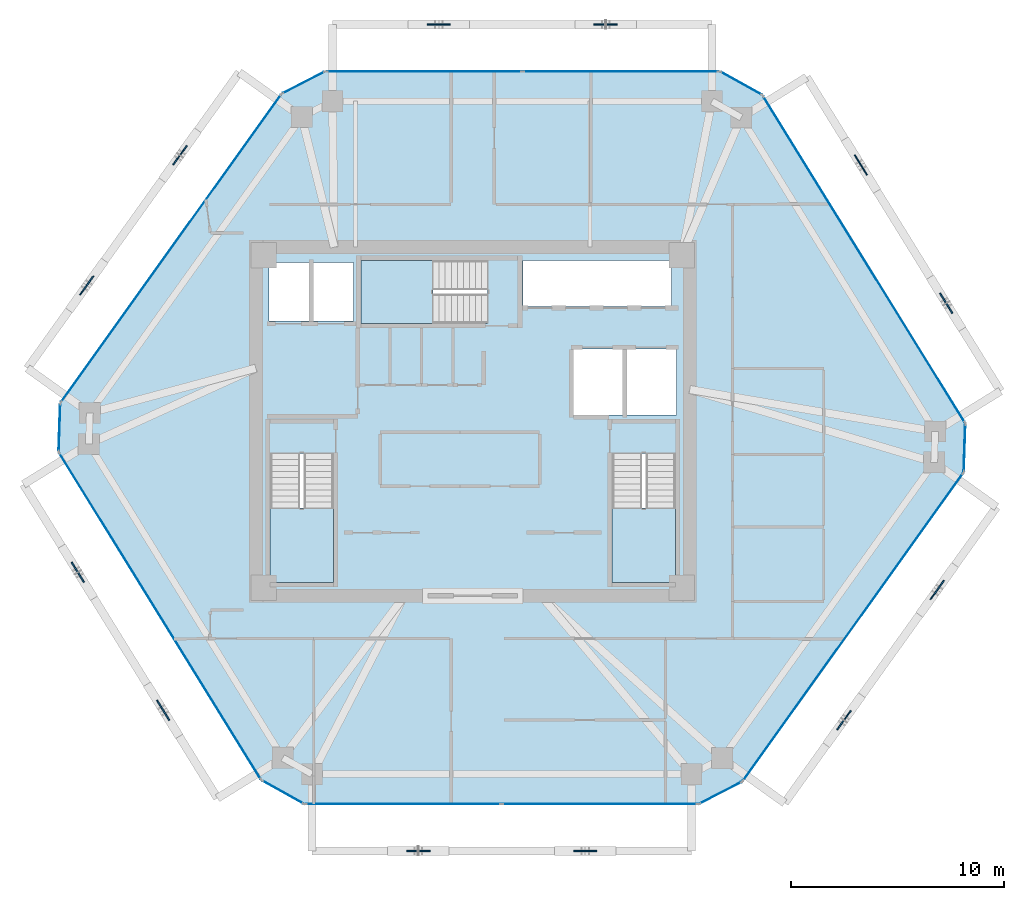
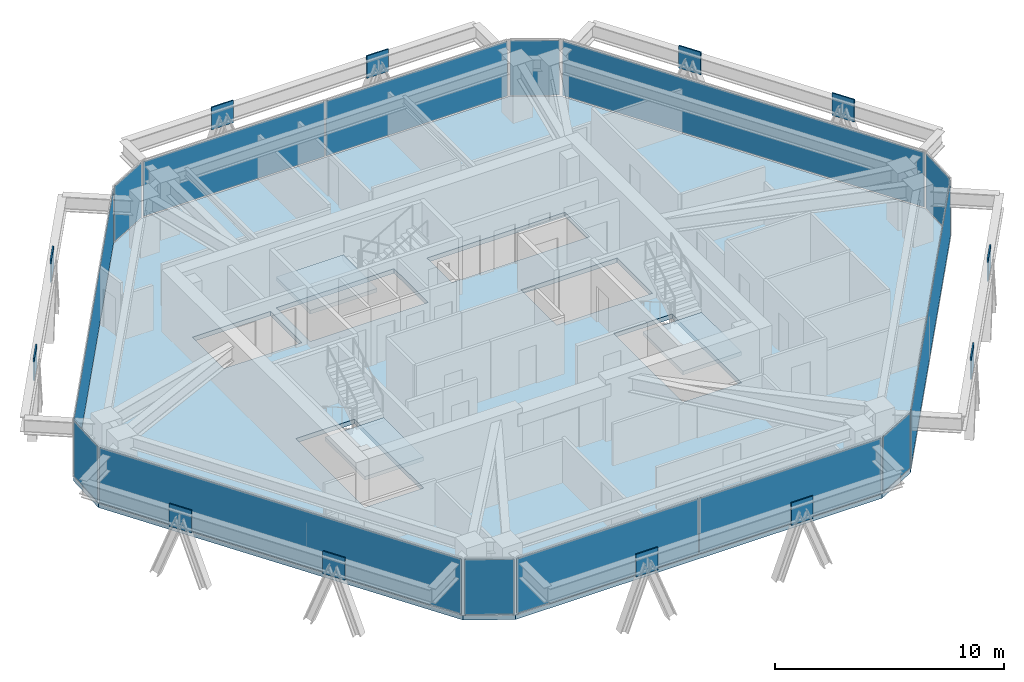
# One storey, part 7 of 14: 26 plates, 4 slabs, 15 elements without a shape of their own.
"""IFC4 building model written with IfcOpenShell, lengths in metres."""

from ifc_helpers import new_model, si_unit, direction, frame, origin, origin_2d, place, context, subcontext, project, spatial, polyline, rectangle, outline, extrude, source, transform, mapped, material, layer, layer_set, type_object, type_shapes, element, aggregate, save


model = new_model("IFC4")

# Units and contexts
model_context = context("Model", 3, precision=1e-05, world=origin(), true_north=direction((0.0, 1.0)))
body_context = subcontext(model_context, "Body", "Model", "MODEL_VIEW")
ifc_project = project(units=[si_unit("LENGTHUNIT", "METRE"), si_unit("AREAUNIT", "SQUARE_METRE"), si_unit("VOLUMEUNIT", "CUBIC_METRE"), si_unit("PLANEANGLEUNIT", "RADIAN"), si_unit("MASSUNIT", "GRAM", prefix="KILO")], contexts=[model_context])

# Site, building, storey
site_placement = place(None, origin())
site = spatial("IfcSite", under=ifc_project, at=site_placement, CompositionType="ELEMENT")
building_placement = place(site_placement, origin())
building = spatial("IfcBuilding", under=site, at=building_placement, Name="Durnholm Broadcast Tower", CompositionType="ELEMENT")
storey_placement = place(building_placement, frame((0.0, 0.0, 193.60009765625)))
storey = spatial("IfcBuildingStorey", under=building, at=storey_placement, Name="L53", CompositionType="ELEMENT", Elevation=193.60009765625)

# Slab
ifc_material_1 = material(Name="Concrete C50/60", Category="concrete")
ifc_layer_1 = layer(ifc_material_1, 0.239990234375)
ifc_layer_set_1 = layer_set([ifc_layer_1], Name="Concrete C50/60")
slab_type_1 = type_object("IfcSlabType", Name="SLAB-FLR-240", PredefinedType="FLOOR", material=ifc_layer_set_1)
slab_1_placement = place(storey_placement, frame((0.0, 0.0, -0.239990234375)))
element("IfcSlab", 1, at=slab_1_placement, inside=storey, type_object=slab_type_1, Name="L53 structural floor slab", PredefinedType="FLOOR", context=body_context, shape_type="SweptSolid", body=[
    extrude(outline(polyline([(-9.912353515625, -16.822021484375), (-7.9033203125, -17.94189453125), (10.59521484375, -17.94189453125), (12.64111328125, -16.890625), (23.022705078125, -2.390380859375), (23.1005859375, -0.091552734375), (13.59033203125, 15.2978515625), (11.581298828125, 16.41796875), (-6.917236328125, 16.41796875), (-8.962890625, 15.36669921875), (-19.3447265625, 0.8662109375), (-19.422607421875, -1.432373046875), (-9.912353515625, -16.822021484375)]), holes=[polyline([(-6.5400390625, -1.5), (-9.5, -1.5), (-9.5, -7.550048828125), (-6.5400390625, -7.550048828125), (-6.5400390625, -1.5)]), polyline([(9.5, -7.550048828125), (9.5, -1.5), (6.5400390625, -1.5), (6.5400390625, -7.550048828125), (9.5, -7.550048828125)]), polyline([(9.550048828125, 3.39990234375), (4.699951171875, 3.39990234375), (4.699951171875, 0.300048828125), (9.550048828125, 0.300048828125), (9.550048828125, 3.39990234375)]), polyline([(-9.550048828125, 7.449951171875), (-9.550048828125, 4.699951171875), (-5.60009765625, 4.699951171875), (-5.60009765625, 7.449951171875), (-9.550048828125, 7.449951171875)]), polyline([(-5.25, 4.60009765625), (0.699951171875, 4.60009765625), (0.699951171875, 7.56005859375), (-5.25, 7.56005859375), (-5.25, 4.60009765625)]), polyline([(9.31005859375, 7.550048828125), (2.35009765625, 7.550048828125), (2.35009765625, 5.39990234375), (9.31005859375, 5.39990234375), (9.31005859375, 7.550048828125)])]), origin(), (0.0, 0.0, 1.0), 0.239990234375),
])

# Stair, slab
stair_type = type_object("IfcStairType", Name="STAIR-DL-20R1650", PredefinedType="HALF_TURN_STAIR", material=ifc_material_1)
stair_1_placement = place(storey_placement, origin())
stair_1 = element("IfcStair", 2, at=stair_1_placement, inside=storey, type_object=stair_type, Name="L53 ST-1", PredefinedType="HALF_TURN_STAIR")
ifc_layer_2 = layer(ifc_material_1, 0.199951171875)
ifc_layer_set_2 = layer_set([ifc_layer_2], Name="Concrete C50/60")
slab_type_2 = type_object("IfcSlabType", Name="SLAB-LND-200", PredefinedType="LANDING", material=ifc_layer_set_2)
slab_2_placement = place(storey_placement, frame((0.0, 0.0, 1.449951171875)))
slab_2 = element("IfcSlab", 3, at=slab_2_placement, type_object=slab_type_2, Name="ST-1 landing 1", PredefinedType="LANDING", context=body_context, shape_type="SweptSolid", body=[
    extrude(outline(polyline([(-9.5, -4.06494140625), (-9.5, -7.550048828125), (-6.5400390625, -7.550048828125), (-6.5400390625, -4.06494140625), (-9.5, -4.06494140625)])), origin(), (0.0, 0.0, 1.0), 0.199951171875),
])
aggregate(stair_1, [slab_2])

stair_2_placement = place(storey_placement, origin())
stair_2 = element("IfcStair", 4, at=stair_2_placement, inside=storey, type_object=stair_type, Name="L53 ST-2", PredefinedType="HALF_TURN_STAIR")
slab_3_placement = place(storey_placement, frame((0.0, 0.0, 1.449951171875)))
slab_3 = element("IfcSlab", 5, at=slab_3_placement, type_object=slab_type_2, Name="ST-2 landing 1", PredefinedType="LANDING", context=body_context, shape_type="SweptSolid", body=[
    extrude(outline(polyline([(6.5400390625, -4.06494140625), (6.5400390625, -7.550048828125), (9.5, -7.550048828125), (9.5, -4.06494140625), (6.5400390625, -4.06494140625)])), origin(), (0.0, 0.0, 1.0), 0.199951171875),
])
aggregate(stair_2, [slab_3])

stair_3_placement = place(storey_placement, origin())
stair_3 = element("IfcStair", 6, at=stair_3_placement, inside=storey, type_object=stair_type, Name="L53 ST-3", PredefinedType="HALF_TURN_STAIR")
slab_4_placement = place(storey_placement, frame((0.0, 0.0, 1.449951171875)))
slab_4 = element("IfcSlab", 7, at=slab_4_placement, type_object=slab_type_2, Name="ST-3 landing 1", PredefinedType="LANDING", context=body_context, shape_type="SweptSolid", body=[
    extrude(outline(polyline([(-1.864990234375, 7.56005859375), (-5.25, 7.56005859375), (-5.25, 4.60009765625), (-1.864990234375, 4.60009765625), (-1.864990234375, 7.56005859375)])), origin(), (0.0, 0.0, 1.0), 0.199951171875),
])
aggregate(stair_3, [slab_4])

# Plates
ifc_material_2 = material(Name="Steel ASTM A572 Grade 50", Category="steel")
ifc_layer_3 = layer(ifc_material_2, 0.06494140625)
ifc_layer_set_3 = layer_set([ifc_layer_3], Name="Steel ASTM A572 Grade 50")
plate_type_1 = type_object("IfcPlateType", Name="PLT-KN07-GUS", PredefinedType="USERDEFINED", material=ifc_layer_set_3)
shared_shape_1 = source(origin(), body_context, "Body", "SweptSolid", [
    extrude(rectangle(XDim=1.10009765625, YDim=0.06494140625, at=origin_2d()), origin(), (0.0, 0.0, 1.0), 1.199951171875),
])
type_shapes(plate_type_1, [shared_shape_1])
for number, where, z_axis, x_axis, name in (
    (8, (-2.556640625, -20.14208984375, 1.70849609375), (0.0, 0.0, 1.0), (1.0, 0.0, 0.0), "L53 welded diagrid node gusset plate KN07 F1"),
    (9, (5.273681640625, -20.14208984375, 1.70849609375), (0.0, 0.0, 1.0), (1.0, 0.0, 0.0), "L53 welded diagrid node gusset plate KN07 F1"),
    (10, (17.40966796875, -14.009521484375, 1.70849609375), (0.0, 0.0, 1.0), (0.582122970157, 0.813100761047, 0.0), "L53 welded diagrid node gusset plate KN07 F2"),
    (11, (21.782470703125, -7.90185546875, 1.70849609375), (0.0, 0.0, 1.0), (0.582122970157, 0.813100761047, 0.0), "L53 welded diagrid node gusset plate KN07 F2"),
    (12, (22.202392578125, 5.546875, 1.70849609375), (0.0, 0.0, 1.0), (-0.525768608156, 0.850627633385, 0.0), "L53 welded diagrid node gusset plate KN07 F3"),
    (13, (18.2001953125, 12.023193359375, 1.70849609375), (0.0, 0.0, 1.0), (-0.525768608156, 0.850627633385, 0.0), "L53 welded diagrid node gusset plate KN07 F3"),
    (14, (6.234619140625, 18.617919921875, 1.70849609375), (0.0, 0.0, 1.0), (-1.0, 0.0, 0.0), "L53 welded diagrid node gusset plate KN07 F4"),
    (15, (-1.595703125, 18.617919921875, 1.70849609375), (0.0, 0.0, 1.0), (-1.0, 0.0, 0.0), "L53 welded diagrid node gusset plate KN07 F4"),
    (16, (-13.731689453125, 12.485595703125, 1.70849609375), (0.0, 0.0, 1.0), (-0.582122970157, -0.813100761047, 0.0), "L53 welded diagrid node gusset plate KN07 F5"),
    (17, (-18.1044921875, 6.3779296875, 1.70849609375), (0.0, 0.0, 1.0), (-0.582122970157, -0.813100761047, 0.0), "L53 welded diagrid node gusset plate KN07 F5"),
    (18, (-18.5244140625, -7.07080078125, 1.70849609375), (0.0, 0.0, 1.0), (0.525768608156, -0.850627633385, 0.0), "L53 welded diagrid node gusset plate KN07 F6"),
    (19, (-14.522216796875, -13.54736328125, 1.70849609375), (0.0, 0.0, 1.0), (0.525768608156, -0.850627633385, 0.0), "L53 welded diagrid node gusset plate KN07 F6"),
):
    element("IfcPlate", number, at=place(storey_placement, frame(where, z_axis=z_axis, x_axis=x_axis)), inside=storey, type_object=plate_type_1, Name=name, ObjectType="GUSSET_PLATE", PredefinedType="USERDEFINED", context=body_context, shape_type="MappedRepresentation", body=[
        mapped(shared_shape_1, transform((0.0, 0.0, 0.0), x_axis=(1.0, 0.0, 0.0), y_axis=(0.0, 1.0, 0.0), z_axis=(0.0, 0.0, 1.0), scale=1.0)),
    ])

# Curtain wall, plate
ifc_material_3 = material(Name="Aluminium and Solar Control IGU", Category="aluminium")
ifc_layer_4 = layer(ifc_material_3, 0.1650390625)
ifc_layer_set_4 = layer_set([ifc_layer_4], Name="Aluminium and Solar Control IGU")
curtain_wall_type_1 = type_object("IfcCurtainWallType", Name="CW-SYS-5", PredefinedType="NOTDEFINED", material=ifc_layer_set_4)
curtain_wall_1_placement = place(storey_placement, origin())
curtain_wall_1 = element("IfcCurtainWall", 20, at=curtain_wall_1_placement, inside=storey, type_object=curtain_wall_type_1, Name="L53 curtain wall CW-CORNER CW-L53-CRN-01", PredefinedType="NOTDEFINED")
ifc_material_4 = material(Name="Low-E Laminated Insulating Glass", Category="glass")
ifc_layer_5 = layer(ifc_material_4, 0.030029296875)
ifc_layer_set_5 = layer_set([ifc_layer_5], Name="Low-E Laminated Insulating Glass")
plate_type_2 = type_object("IfcPlateType", Name="CW-SYS-5-PNL", PredefinedType="CURTAIN_PANEL", material=ifc_layer_set_5)
shared_shape_2 = source(origin(), body_context, "Body", "SweptSolid", [
    extrude(rectangle(XDim=2.169921875, YDim=0.030029296875, at=origin_2d()), origin(), (0.0, 0.0, 1.0), 2.929931640625),
])
plate_1_placement = place(storey_placement, frame((-19.3837890625, -0.282958984375, 0.06494140625), z_axis=(0.0, 0.0, 1.0), x_axis=(0.033912704699, 0.999424798802, 0.0)))
plate_1 = element("IfcPlate", 21, at=plate_1_placement, type_object=plate_type_2, Name="CW-CORNER panel 1.1", PredefinedType="CURTAIN_PANEL", context=body_context, shape_type="MappedRepresentation", body=[
    mapped(shared_shape_2, transform((0.0, 0.0, 0.0), x_axis=(1.0, 0.0, 0.0), y_axis=(0.0, 1.0, 0.0), z_axis=(0.0, 0.0, 1.0), scale=1.0)),
])
aggregate(curtain_wall_1, [plate_1])

curtain_wall_2_placement = place(storey_placement, origin())
curtain_wall_2 = element("IfcCurtainWall", 22, at=curtain_wall_2_placement, inside=storey, type_object=curtain_wall_type_1, Name="L53 curtain wall CW-CORNER CW-L53-CRN-03", PredefinedType="NOTDEFINED")
plate_2_placement = place(storey_placement, frame((-7.940185546875, 15.892333984375, 0.06494140625), z_axis=(0.0, 0.0, 1.0), x_axis=(0.889424679545, 0.457081764476, 0.0)))
plate_2 = element("IfcPlate", 23, at=plate_2_placement, type_object=plate_type_2, Name="CW-CORNER panel 1.1", PredefinedType="CURTAIN_PANEL", context=body_context, shape_type="MappedRepresentation", body=[
    mapped(shared_shape_2, transform((0.0, 0.0, 0.0), x_axis=(1.0, 0.0, 0.0), y_axis=(0.0, 1.0, 0.0), z_axis=(0.0, 0.0, 1.0), scale=1.0)),
])
aggregate(curtain_wall_2, [plate_2])

curtain_wall_3_placement = place(storey_placement, origin())
curtain_wall_3 = element("IfcCurtainWall", 24, at=curtain_wall_3_placement, inside=storey, type_object=curtain_wall_type_1, Name="L53 curtain wall CW-CORNER CW-L53-CRN-07", PredefinedType="NOTDEFINED")
plate_3_placement = place(storey_placement, frame((23.061767578125, -1.240966796875, 0.06494140625), z_axis=(0.0, 0.0, 1.0), x_axis=(-0.033912704699, -0.999424798802, 0.0)))
plate_3 = element("IfcPlate", 25, at=plate_3_placement, type_object=plate_type_2, Name="CW-CORNER panel 1.1", PredefinedType="CURTAIN_PANEL", context=body_context, shape_type="MappedRepresentation", body=[
    mapped(shared_shape_2, transform((0.0, 0.0, 0.0), x_axis=(1.0, 0.0, 0.0), y_axis=(0.0, 1.0, 0.0), z_axis=(0.0, 0.0, 1.0), scale=1.0)),
])
aggregate(curtain_wall_3, [plate_3])

curtain_wall_4_placement = place(storey_placement, origin())
curtain_wall_4 = element("IfcCurtainWall", 26, at=curtain_wall_4_placement, inside=storey, type_object=curtain_wall_type_1, Name="L53 curtain wall CW-CORNER CW-L53-CRN-09", PredefinedType="NOTDEFINED")
plate_4_placement = place(storey_placement, frame((11.6181640625, -17.416259765625, 0.06494140625), z_axis=(0.0, 0.0, 1.0), x_axis=(-0.889424679545, -0.457081764476, 0.0)))
plate_4 = element("IfcPlate", 27, at=plate_4_placement, type_object=plate_type_2, Name="CW-CORNER panel 1.1", PredefinedType="CURTAIN_PANEL", context=body_context, shape_type="MappedRepresentation", body=[
    mapped(shared_shape_2, transform((0.0, 0.0, 0.0), x_axis=(1.0, 0.0, 0.0), y_axis=(0.0, 1.0, 0.0), z_axis=(0.0, 0.0, 1.0), scale=1.0)),
])
aggregate(curtain_wall_4, [plate_4])

ifc_layer_6 = layer(ifc_material_3, 0.18994140625)
ifc_layer_set_6 = layer_set([ifc_layer_6], Name="Aluminium and Solar Control IGU")
curtain_wall_type_2 = type_object("IfcCurtainWallType", Name="CW-SYS-4", PredefinedType="NOTDEFINED", material=ifc_layer_set_6)
curtain_wall_5_placement = place(storey_placement, origin())
curtain_wall_5 = element("IfcCurtainWall", 28, at=curtain_wall_5_placement, inside=storey, type_object=curtain_wall_type_2, Name="L53 curtain wall CW-Z34-VIS CW-L53-F02", PredefinedType="NOTDEFINED")
ifc_layer_7 = layer(ifc_material_4, 0.033935546875)
ifc_layer_set_7 = layer_set([ifc_layer_7], Name="Low-E Laminated Insulating Glass")
plate_type_3 = type_object("IfcPlateType", Name="CW-SYS-4-PNL", PredefinedType="CURTAIN_PANEL", material=ifc_layer_set_7)
shared_shape_3 = source(origin(), body_context, "Body", "SweptSolid", [
    extrude(rectangle(XDim=17.693603515625, YDim=0.033935546875, at=origin_2d()), origin(), (0.0, 0.0, 1.0), 2.919921875),
])
plate_5_placement = place(storey_placement, frame((-14.15380859375, 8.116455078125, 0.06982421875), z_axis=(0.0, 0.0, 1.0), x_axis=(0.582139030549, 0.813089262696, 0.0)))
plate_5 = element("IfcPlate", 29, at=plate_5_placement, type_object=plate_type_3, Name="CW-Z34-VIS panel 1.1", PredefinedType="CURTAIN_PANEL", context=body_context, shape_type="MappedRepresentation", body=[
    mapped(shared_shape_3, transform((0.0, 0.0, 0.0), x_axis=(1.0, 0.0, 0.0), y_axis=(0.0, 1.0, 0.0), z_axis=(0.0, 0.0, 1.0), scale=1.0)),
])
aggregate(curtain_wall_5, [plate_5])

curtain_wall_6_placement = place(storey_placement, origin())
curtain_wall_6 = element("IfcCurtainWall", 30, at=curtain_wall_6_placement, inside=storey, type_object=curtain_wall_type_2, Name="L53 curtain wall CW-Z34-VIS CW-L53-F08", PredefinedType="NOTDEFINED")
plate_6_placement = place(storey_placement, frame((17.831787109375, -9.640380859375, 0.06982421875), z_axis=(0.0, 0.0, 1.0), x_axis=(-0.582139030549, -0.813089262696, 0.0)))
plate_6 = element("IfcPlate", 31, at=plate_6_placement, type_object=plate_type_3, Name="CW-Z34-VIS panel 1.1", PredefinedType="CURTAIN_PANEL", context=body_context, shape_type="MappedRepresentation", body=[
    mapped(shared_shape_3, transform((0.0, 0.0, 0.0), x_axis=(1.0, 0.0, 0.0), y_axis=(0.0, 1.0, 0.0), z_axis=(0.0, 0.0, 1.0), scale=1.0)),
])
aggregate(curtain_wall_6, [plate_6])

# Curtain wall, plates
curtain_wall_7_placement = place(storey_placement, origin())
curtain_wall_7 = element("IfcCurtainWall", 32, at=curtain_wall_7_placement, inside=storey, type_object=curtain_wall_type_2, Name="L53 curtain wall CW-Z34-VIS CW-L53-F04", PredefinedType="NOTDEFINED")
shared_shape_4 = source(origin(), body_context, "Body", "SweptSolid", [
    extrude(rectangle(XDim=9.144287109375, YDim=0.033935546875, at=origin_2d()), origin(), (0.0, 0.0, 1.0), 2.919921875),
])
plate_7_placement = place(storey_placement, frame((-2.275146484375, 16.41796875, 0.06982421875), z_axis=(0.0, 0.0, 1.0), x_axis=(1.0, 0.0, 0.0)))
plate_7 = element("IfcPlate", 33, at=plate_7_placement, type_object=plate_type_3, Name="CW-Z34-VIS panel 1.1", PredefinedType="CURTAIN_PANEL", context=body_context, shape_type="MappedRepresentation", body=[
    mapped(shared_shape_4, transform((0.0, 0.0, 0.0), x_axis=(1.0, 0.0, 0.0), y_axis=(0.0, 1.0, 0.0), z_axis=(0.0, 0.0, 1.0), scale=1.0)),
])
plate_8_placement = place(storey_placement, frame((6.939208984375, 16.41796875, 0.06982421875), z_axis=(0.0, 0.0, 1.0), x_axis=(1.0, 0.0, 0.0)))
plate_8 = element("IfcPlate", 34, at=plate_8_placement, type_object=plate_type_3, Name="CW-Z34-VIS panel 2.1", PredefinedType="CURTAIN_PANEL", context=body_context, shape_type="MappedRepresentation", body=[
    mapped(shared_shape_4, transform((0.0, 0.0, 0.0), x_axis=(1.0, 0.0, 0.0), y_axis=(0.0, 1.0, 0.0), z_axis=(0.0, 0.0, 1.0), scale=1.0)),
])
aggregate(curtain_wall_7, [plate_7, plate_8])

curtain_wall_8_placement = place(storey_placement, origin())
curtain_wall_8 = element("IfcCurtainWall", 35, at=curtain_wall_8_placement, inside=storey, type_object=curtain_wall_type_2, Name="L53 curtain wall CW-Z34-VIS CW-L53-F10", PredefinedType="NOTDEFINED")
plate_9_placement = place(storey_placement, frame((5.953125, -17.94189453125, 0.06982421875), z_axis=(0.0, 0.0, 1.0), x_axis=(-1.0, 0.0, 0.0)))
plate_9 = element("IfcPlate", 36, at=plate_9_placement, type_object=plate_type_3, Name="CW-Z34-VIS panel 1.1", PredefinedType="CURTAIN_PANEL", context=body_context, shape_type="MappedRepresentation", body=[
    mapped(shared_shape_4, transform((0.0, 0.0, 0.0), x_axis=(1.0, 0.0, 0.0), y_axis=(0.0, 1.0, 0.0), z_axis=(0.0, 0.0, 1.0), scale=1.0)),
])
plate_10_placement = place(storey_placement, frame((-3.26123046875, -17.94189453125, 0.06982421875), z_axis=(0.0, 0.0, 1.0), x_axis=(-1.0, 0.0, 0.0)))
plate_10 = element("IfcPlate", 37, at=plate_10_placement, type_object=plate_type_3, Name="CW-Z34-VIS panel 2.1", PredefinedType="CURTAIN_PANEL", context=body_context, shape_type="MappedRepresentation", body=[
    mapped(shared_shape_4, transform((0.0, 0.0, 0.0), x_axis=(1.0, 0.0, 0.0), y_axis=(0.0, 1.0, 0.0), z_axis=(0.0, 0.0, 1.0), scale=1.0)),
])
aggregate(curtain_wall_8, [plate_9, plate_10])

# Curtain wall, plate
curtain_wall_9_placement = place(storey_placement, origin())
curtain_wall_9 = element("IfcCurtainWall", 38, at=curtain_wall_9_placement, inside=storey, type_object=curtain_wall_type_1, Name="L53 curtain wall CW-CORNER CW-L53-CRN-05", PredefinedType="NOTDEFINED")
shared_shape_5 = source(origin(), body_context, "Body", "SweptSolid", [
    extrude(rectangle(XDim=2.170166015625, YDim=0.030029296875, at=origin_2d()), origin(), (0.0, 0.0, 1.0), 2.929931640625),
])
type_shapes(plate_type_2, [shared_shape_2, shared_shape_5])
plate_11_placement = place(storey_placement, frame((12.5859375, 15.85791015625, 0.06494140625), z_axis=(0.0, 0.0, 1.0), x_axis=(0.873409751271, -0.486986043316, 0.0)))
plate_11 = element("IfcPlate", 39, at=plate_11_placement, type_object=plate_type_2, Name="CW-CORNER panel 1.1", PredefinedType="CURTAIN_PANEL", context=body_context, shape_type="MappedRepresentation", body=[
    mapped(shared_shape_5, transform((0.0, 0.0, 0.0), x_axis=(1.0, 0.0, 0.0), y_axis=(0.0, 1.0, 0.0), z_axis=(0.0, 0.0, 1.0), scale=1.0)),
])
aggregate(curtain_wall_9, [plate_11])

curtain_wall_10_placement = place(storey_placement, origin())
curtain_wall_10 = element("IfcCurtainWall", 40, at=curtain_wall_10_placement, inside=storey, type_object=curtain_wall_type_1, Name="L53 curtain wall CW-CORNER CW-L53-CRN-11", PredefinedType="NOTDEFINED")
plate_12_placement = place(storey_placement, frame((-8.907958984375, -17.3818359375, 0.06494140625), z_axis=(0.0, 0.0, 1.0), x_axis=(-0.873409751271, 0.486986043316, 0.0)))
plate_12 = element("IfcPlate", 41, at=plate_12_placement, type_object=plate_type_2, Name="CW-CORNER panel 1.1", PredefinedType="CURTAIN_PANEL", context=body_context, shape_type="MappedRepresentation", body=[
    mapped(shared_shape_5, transform((0.0, 0.0, 0.0), x_axis=(1.0, 0.0, 0.0), y_axis=(0.0, 1.0, 0.0), z_axis=(0.0, 0.0, 1.0), scale=1.0)),
])
aggregate(curtain_wall_10, [plate_12])

curtain_wall_11_placement = place(storey_placement, origin())
curtain_wall_11 = element("IfcCurtainWall", 42, at=curtain_wall_11_placement, inside=storey, type_object=curtain_wall_type_2, Name="L53 curtain wall CW-Z34-VIS CW-L53-F06", PredefinedType="NOTDEFINED")
shared_shape_6 = source(origin(), body_context, "Body", "SweptSolid", [
    extrude(rectangle(XDim=17.950927734375, YDim=0.033935546875, at=origin_2d()), origin(), (0.0, 0.0, 1.0), 2.919921875),
])
type_shapes(plate_type_3, [shared_shape_3, shared_shape_4, shared_shape_6])
plate_13_placement = place(storey_placement, frame((18.345458984375, 7.603271484375, 0.06982421875), z_axis=(0.0, 0.0, 1.0), x_axis=(0.525697750452, -0.850671426092, 0.0)))
plate_13 = element("IfcPlate", 43, at=plate_13_placement, type_object=plate_type_3, Name="CW-Z34-VIS panel 1.1", PredefinedType="CURTAIN_PANEL", context=body_context, shape_type="MappedRepresentation", body=[
    mapped(shared_shape_6, transform((0.0, 0.0, 0.0), x_axis=(1.0, 0.0, 0.0), y_axis=(0.0, 1.0, 0.0), z_axis=(0.0, 0.0, 1.0), scale=1.0)),
])
aggregate(curtain_wall_11, [plate_13])

curtain_wall_12_placement = place(storey_placement, origin())
curtain_wall_12 = element("IfcCurtainWall", 44, at=curtain_wall_12_placement, inside=storey, type_object=curtain_wall_type_2, Name="L53 curtain wall CW-Z34-VIS CW-L53-F12", PredefinedType="NOTDEFINED")
plate_14_placement = place(storey_placement, frame((-14.66748046875, -9.127197265625, 0.06982421875), z_axis=(0.0, 0.0, 1.0), x_axis=(-0.525697750452, 0.850671426092, 0.0)))
plate_14 = element("IfcPlate", 45, at=plate_14_placement, type_object=plate_type_3, Name="CW-Z34-VIS panel 1.1", PredefinedType="CURTAIN_PANEL", context=body_context, shape_type="MappedRepresentation", body=[
    mapped(shared_shape_6, transform((0.0, 0.0, 0.0), x_axis=(1.0, 0.0, 0.0), y_axis=(0.0, 1.0, 0.0), z_axis=(0.0, 0.0, 1.0), scale=1.0)),
])
aggregate(curtain_wall_12, [plate_14])

save(model, "model.ifc")
